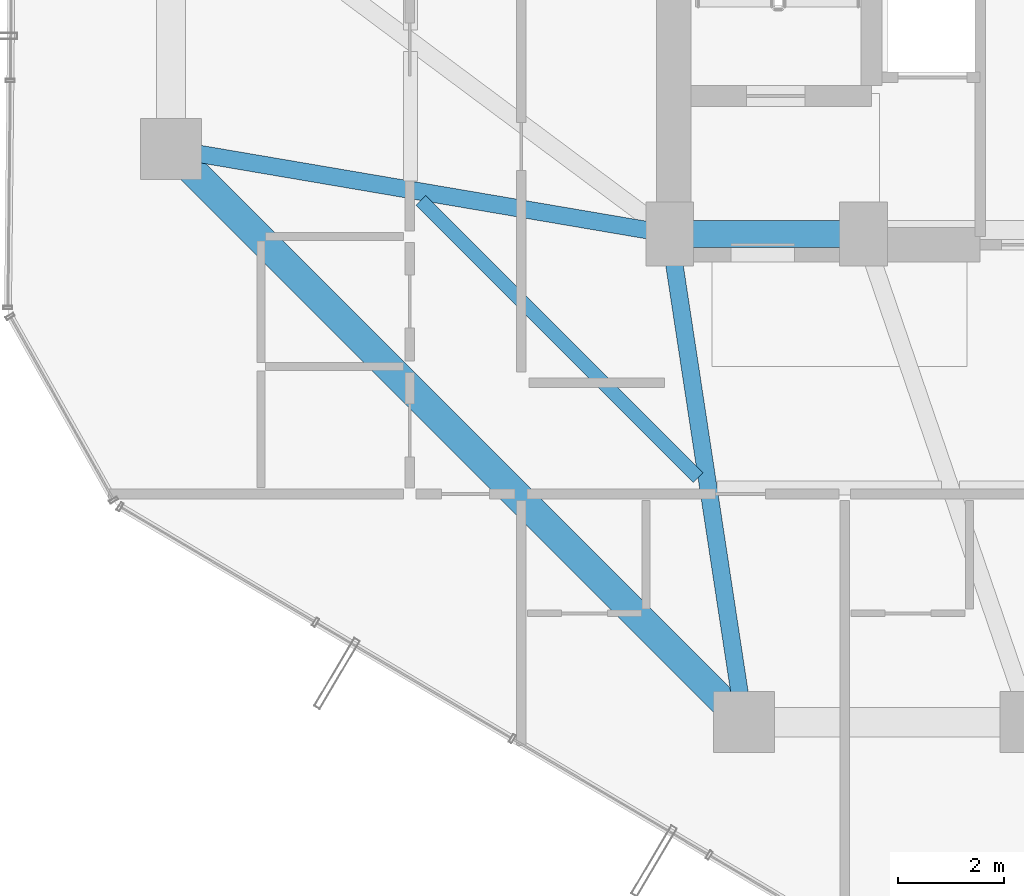
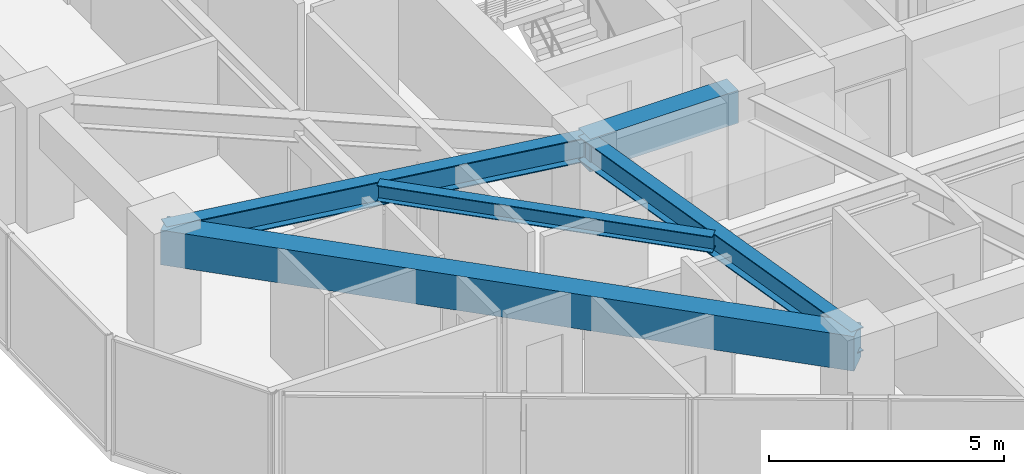
# One storey, part 5 of 30: 5 beams.
"""IFC4 building model written with IfcOpenShell, lengths in metres."""

import ifcopenshell
import ifcopenshell.guid

model = None  # the IFC model being written
_history = None  # IfcOwnerHistory: only IFC2X3 demands one
_inside = {}  # id of a spatial element -> (the spatial element, [elements in it])
_under = {}  # id of a project, library or spatial element -> (it, [spatial elements below it])
_declared = {}  # id of a project -> (the project, [libraries it declares])
_typed = {}  # id of a type object -> (the type object, [elements of that type])
_made_of = {}  # id of a material, layer set ... -> (it, [elements and type objects made of it])


def new_model(schema):
    """Start an empty IFC model of exactly this schema.

    Asked for "IFC4X3", IfcOpenShell would pick the latest addendum, in which some entities
    have other attributes; the version numbers below select the first issue.
    IFC2X3 requires an IfcOwnerHistory on every rooted entity: one is made here for all.
    """
    global model, _history
    if schema == "IFC4X3":
        model = ifcopenshell.file(schema_version=(4, 3, 0, 0))
    else:
        model = ifcopenshell.file(schema=schema)
    _inside.clear()
    _under.clear()
    _declared.clear()
    _typed.clear()
    _made_of.clear()
    _history = None
    if model.schema == "IFC2X3":
        org = make("IfcOrganization", Name="unknown")
        user = make(
            "IfcPersonAndOrganization",
            ThePerson=make("IfcPerson", FamilyName="unknown"),
            TheOrganization=org,
        )
        app = make(
            "IfcApplication",
            ApplicationDeveloper=org,
            Version="unknown",
            ApplicationFullName="unknown",
            ApplicationIdentifier="unknown",
        )
        _history = make(
            "IfcOwnerHistory",
            OwningUser=user,
            OwningApplication=app,
            ChangeAction="ADDED",
            CreationDate=0,
        )
    return model


def make(cls, **values):
    """One entity of the class cls with the attributes given. An attribute that is None is left unset."""
    return model.create_entity(
        cls, **{name: value for name, value in values.items() if value is not None}
    )


def rooted(cls, **values):
    """An entity with a GlobalId (a new one), such as an element, a storey or a relation."""
    return make(cls, GlobalId=ifcopenshell.guid.new(), OwnerHistory=_history, **values)


def si_unit(unit_type, name, prefix=None):
    """IfcSIUnit, for example si_unit("LENGTHUNIT", "METRE", prefix="MILLI")."""
    return make("IfcSIUnit", UnitType=unit_type, Prefix=prefix, Name=name)


def assignment(units):
    """IfcUnitAssignment: the units of a project."""
    return None if units is None else make("IfcUnitAssignment", Units=units)


def point(xyz):
    """IfcCartesianPoint."""
    return None if xyz is None else make("IfcCartesianPoint", Coordinates=xyz)


def direction(xyz):
    """IfcDirection."""
    return None if xyz is None else make("IfcDirection", DirectionRatios=xyz)


def frame(location, z_axis=None, x_axis=None):
    """IfcAxis2Placement3D, a coordinate frame: its origin and axes. An axis left out is left unset."""
    return make(
        "IfcAxis2Placement3D",
        Location=point(location),
        Axis=direction(z_axis),
        RefDirection=direction(x_axis),
    )


def frame_2d(location, x_axis=None):
    """IfcAxis2Placement2D, a coordinate frame in the plane: its origin and x axis."""
    return make(
        "IfcAxis2Placement2D", Location=point(location), RefDirection=direction(x_axis)
    )


def origin():
    """The frame at (0, 0, 0) with its axes left unset."""
    return frame((0.0, 0.0, 0.0))


def origin_2d():
    """The frame at (0, 0) in the plane with its x axis left unset."""
    return frame_2d((0.0, 0.0))


def place(relative_to, where):
    """IfcLocalPlacement: puts the frame where relative to a parent placement (None: the world)."""
    return make(
        "IfcLocalPlacement", PlacementRelTo=relative_to, RelativePlacement=where
    )


def context(
    kind, dimensions, precision=None, world=None, true_north=None, identifier=None
):
    """IfcGeometricRepresentationContext, for example the 3D "Model" context."""
    return make(
        "IfcGeometricRepresentationContext",
        ContextIdentifier=identifier,
        ContextType=kind,
        CoordinateSpaceDimension=dimensions,
        Precision=precision,
        WorldCoordinateSystem=world,
        TrueNorth=true_north,
    )


def subcontext(parent, identifier, kind, view, scale=None):
    """IfcGeometricRepresentationSubContext, for example "Body" below "Model"."""
    return make(
        "IfcGeometricRepresentationSubContext",
        ContextIdentifier=identifier,
        ContextType=kind,
        ParentContext=parent,
        TargetScale=scale,
        TargetView=view,
    )


def project(units=None, contexts=None):
    """IfcProject with its units and contexts."""
    return rooted(
        "IfcProject",
        Name="project",
        RepresentationContexts=contexts,
        UnitsInContext=assignment(units),
    )


def spatial(cls, under=None, at=None, **own):
    """A site, building, storey or space (cls), placed at a placement, below another one or the project."""
    s = rooted(cls, ObjectPlacement=at, **own)
    if under is not None:
        _under.setdefault(under.id(), (under, []))[1].append(s)
    return s


def profile(cls, at=None, kind="AREA", **sizes):
    """A parametric profile (cls). Its sizes go by their IFC names, for example OverallWidth=200.0."""
    return make(cls, ProfileType=kind, Position=at, **sizes)


def rectangle(**sizes):
    """IfcRectangleProfileDef."""
    return profile("IfcRectangleProfileDef", **sizes)


def i_section(**sizes):
    """IfcIShapeProfileDef."""
    return profile("IfcIShapeProfileDef", **sizes)


def extrude(swept, where, along, depth):
    """IfcExtrudedAreaSolid: the profile swept, set in the frame where, extruded along a direction by depth."""
    return make(
        "IfcExtrudedAreaSolid",
        SweptArea=swept,
        Position=where,
        ExtrudedDirection=direction(along),
        Depth=depth,
    )


def shape(context_of_items, identifier, shape_type, items):
    """IfcShapeRepresentation: the items that make up one representation, for example the "Body"."""
    return make(
        "IfcShapeRepresentation",
        ContextOfItems=context_of_items,
        RepresentationIdentifier=identifier,
        RepresentationType=shape_type,
        Items=items,
    )


def material(Name=None, Category=None):
    """IfcMaterial."""
    return make("IfcMaterial", Name=Name, Category=Category)


def material_profile(
    of_material, cross_section, Name=None, Category=None, Priority=None
):
    """IfcMaterialProfile: a cross section and its material."""
    return make(
        "IfcMaterialProfile",
        Name=Name,
        Material=of_material,
        Profile=cross_section,
        Priority=Priority,
        Category=Category,
    )


def profile_set(profiles, Name=None, composite=None):
    """IfcMaterialProfileSet."""
    return make(
        "IfcMaterialProfileSet",
        Name=Name,
        MaterialProfiles=profiles,
        CompositeProfile=composite,
    )


def made_of(thing, what):
    """Note that an element or type object is made of a material, layer set ...; save() writes the relation."""
    if what is not None:
        _made_of.setdefault(what.id(), (what, []))[1].append(thing)
    return thing


def type_object(cls, material=None, **own):
    """A type object (cls), such as IfcWallType, which elements share."""
    return made_of(rooted(cls, **own), material)


def element(
    cls,
    number,
    at=None,
    inside=None,
    cuts=None,
    type_object=None,
    material=None,
    context=None,
    identifier="Body",
    shape_type=None,
    held_by="IfcProductDefinitionShape",
    body=None,
    shapes=None,
    **own,
):
    """One element of the class cls, such as IfcWall. Its Tag is "e" and its number.

    at: its placement. inside: the storey or other place that contains it. cuts: it is an
    opening in that element (IfcRelVoidsElement). A single representation is given by context,
    identifier, shape_type and body (its items); several are given by shapes. held_by: the class
    of the entity that holds the representations. save() writes the other relations.
    """
    e = rooted(cls, Tag="e%d" % number, ObjectPlacement=at, **own)
    if body is not None:
        shapes = [shape(context, identifier, shape_type, body)]
    if shapes is not None:
        e.Representation = make(held_by, Representations=shapes)
    if inside is not None:
        _inside.setdefault(inside.id(), (inside, []))[1].append(e)
    if cuts is not None:
        rooted(
            "IfcRelVoidsElement", RelatingBuildingElement=cuts, RelatedOpeningElement=e
        )
    if type_object is not None:
        _typed.setdefault(type_object.id(), (type_object, []))[1].append(e)
    return made_of(e, material)


def aggregate(whole, parts):
    """IfcRelAggregates: a whole, such as a stair, and the parts it consists of."""
    return rooted("IfcRelAggregates", RelatingObject=whole, RelatedObjects=parts)


def save(model, path):
    """Write the relations noted so far, then the file.

    IfcRelAggregates (storeys below a building ...), IfcRelContainedInSpatialStructure (elements
    in a storey), IfcRelDefinesByType, IfcRelAssociatesMaterial and IfcRelDeclares: one each for
    every whole, place, type object, material and project.
    """
    for whole, parts in _under.values():
        aggregate(whole, parts)
    for where, things in _inside.values():
        rooted(
            "IfcRelContainedInSpatialStructure",
            RelatedElements=things,
            RelatingStructure=where,
        )
    for kind, things in _typed.values():
        rooted("IfcRelDefinesByType", RelatedObjects=things, RelatingType=kind)
    for what, things in _made_of.values():
        rooted("IfcRelAssociatesMaterial", RelatedObjects=things, RelatingMaterial=what)
    for by, libraries in _declared.values():
        rooted("IfcRelDeclares", RelatingContext=by, RelatedDefinitions=libraries)
    model.write(path)


model = new_model("IFC4")

# Units and contexts
model_context = context("Model", 3, precision=1e-05, world=origin(), true_north=direction((0.0, 1.0)))
body_context = subcontext(model_context, "Body", "Model", "MODEL_VIEW")
ifc_project = project(units=[si_unit("LENGTHUNIT", "METRE"), si_unit("AREAUNIT", "SQUARE_METRE"), si_unit("VOLUMEUNIT", "CUBIC_METRE"), si_unit("PLANEANGLEUNIT", "RADIAN"), si_unit("MASSUNIT", "GRAM", prefix="KILO")], contexts=[model_context])

# Site, building, storey
site_placement = place(None, origin())
site = spatial("IfcSite", under=ifc_project, at=site_placement, CompositionType="ELEMENT")
building_placement = place(site_placement, origin())
building = spatial("IfcBuilding", under=site, at=building_placement, Name="Veraguas Prism Commons", CompositionType="ELEMENT")
storey_placement = place(building_placement, frame((0.0, 0.0, 126.25)))
storey = spatial("IfcBuildingStorey", under=building, at=storey_placement, Name="L35", CompositionType="ELEMENT", Elevation=126.25)

# Beams
ifc_material_1 = material(Name="Concrete C50/60", Category="concrete")
ifc_material_profile_1 = material_profile(ifc_material_1, rectangle(XDim=0.5, YDim=0.85009765625, at=origin_2d()), Name="RC500X850")
ifc_profile_set_1 = profile_set([ifc_material_profile_1], Name="Concrete C50/60")
beam_type_1 = type_object("IfcBeamType", Name="Core Coupling Beam RC 500x850", PredefinedType="BEAM", material=ifc_profile_set_1)
beam_1_placement = place(storey_placement, frame((17.199951171875, 17.0, 2.574951171875), z_axis=(1.0, 0.0, 0.0), x_axis=(0.0, 1.0, 0.0)))
element("IfcBeam", 1, at=beam_1_placement, inside=storey, type_object=beam_type_1, Name="Core Coupling Beam L35-CRS1", PredefinedType="BEAM", context=body_context, shape_type="SweptSolid", body=[
    extrude(rectangle(XDim=0.5, YDim=0.85009765625, at=origin_2d()), origin(), (0.0, 0.0, 1.0), 3.650146484375),
])
ifc_material_2 = material(Name="Steel ASTM A992 Grade 50", Category="steel")
ifc_material_profile_2 = material_profile(ifc_material_2, i_section(OverallWidth=0.260986328125, OverallDepth=0.419921875, WebThickness=0.01171875, FlangeThickness=0.019287109375, at=origin_2d()), Name="W410X114")
ifc_profile_set_2 = profile_set([ifc_material_profile_2], Name="Steel ASTM A992 Grade 50")
beam_type_2 = type_object("IfcBeamType", Name="Lower Floor Joist W410x114", PredefinedType="JOIST", material=ifc_profile_set_2)
beam_2_placement = place(storey_placement, frame((12.510009765625, 17.634033203125, 2.7900390625), z_axis=(0.707090260193, -0.707123301794, 0.0), x_axis=(0.707123301794, 0.707090260193, 0.0)))
element("IfcBeam", 2, at=beam_2_placement, inside=storey, type_object=beam_type_2, Name="Composite Floor Joist L35-JS09", PredefinedType="JOIST", context=body_context, shape_type="SweptSolid", body=[
    extrude(i_section(OverallWidth=0.260986328125, OverallDepth=0.419921875, WebThickness=0.01171875, FlangeThickness=0.019287109375, at=origin_2d()), origin(), (0.0, 0.0, 1.0), 7.388916015625),
])
ifc_material_profile_3 = material_profile(ifc_material_1, rectangle(XDim=0.550048828125, YDim=0.89990234375, at=origin_2d()), Name="RC550X900")
ifc_profile_set_3 = profile_set([ifc_material_profile_3], Name="Concrete C50/60")
beam_type_3 = type_object("IfcBeamType", Name="Perimeter Spandrel Lower RC 550x900", PredefinedType="SPANDREL", material=ifc_profile_set_3)
beam_3_placement = place(storey_placement, frame((7.800048828125, 18.60009765625, 2.550048828125), z_axis=(0.707106781187, -0.707106781187, 0.0), x_axis=(0.707106781187, 0.707106781187, 0.0)))
element("IfcBeam", 3, at=beam_3_placement, inside=storey, type_object=beam_type_3, Name="Perimeter Spandrel Beam L35-SP09", PredefinedType="SPANDREL", context=body_context, shape_type="SweptSolid", body=[
    extrude(rectangle(XDim=0.550048828125, YDim=0.89990234375, at=origin_2d()), origin(), (0.0, 0.0, 1.0), 15.273681640625),
])
ifc_material_profile_4 = material_profile(ifc_material_2, i_section(OverallWidth=0.327880859375, OverallDepth=0.6220703125, WebThickness=0.015380859375, FlangeThickness=0.0244140625, at=origin_2d()), Name="W610X195")
ifc_profile_set_4 = profile_set([ifc_material_profile_4], Name="Steel ASTM A992 Grade 50")
beam_type_4 = type_object("IfcBeamType", Name="Zone 2 Radial Girder W610x195", PredefinedType="BEAM", material=ifc_profile_set_4)
beam_4_placement = place(storey_placement, frame((7.800048828125, 18.60009765625, 2.68896484375), z_axis=(0.985819187151, -0.1678109956, 0.0), x_axis=(0.1678109956, 0.985819187151, 0.0)))
element("IfcBeam", 4, at=beam_4_placement, inside=storey, type_object=beam_type_4, Name="Radial Floor Girder L35-RD09", PredefinedType="BEAM", context=body_context, shape_type="SweptSolid", body=[
    extrude(i_section(OverallWidth=0.327880859375, OverallDepth=0.6220703125, WebThickness=0.015380859375, FlangeThickness=0.0244140625, at=origin_2d()), origin(), (0.0, 0.0, 1.0), 9.53515625),
])
beam_5_placement = place(storey_placement, frame((18.60009765625, 7.800048828125, 2.68896484375), z_axis=(-0.150458162136, 0.98861637729, 0.0), x_axis=(-0.98861637729, -0.150458162136, 0.0)))
element("IfcBeam", 5, at=beam_5_placement, inside=storey, type_object=beam_type_4, Name="Radial Floor Girder L35-RD10", PredefinedType="BEAM", context=body_context, shape_type="SweptSolid", body=[
    extrude(i_section(OverallWidth=0.327880859375, OverallDepth=0.6220703125, WebThickness=0.015380859375, FlangeThickness=0.0244140625, at=origin_2d()), origin(), (0.0, 0.0, 1.0), 9.305908203125),
])

save(model, "model.ifc")
